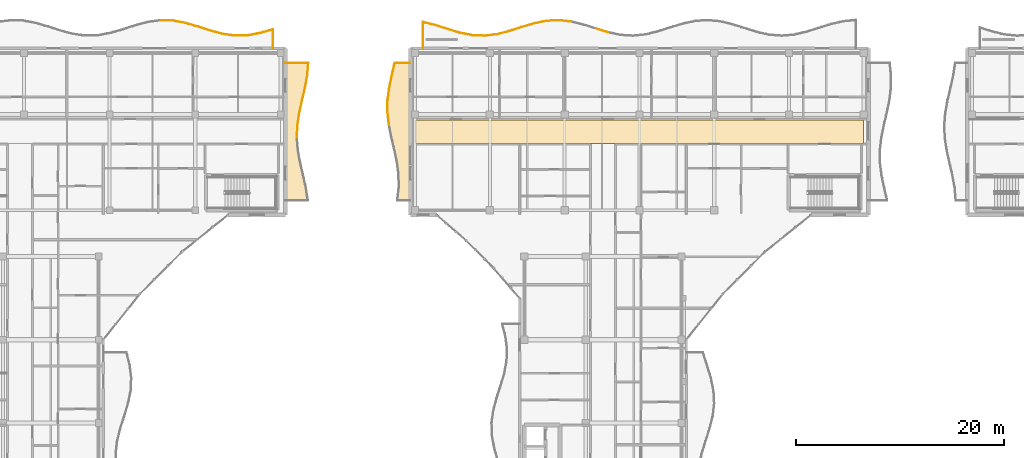
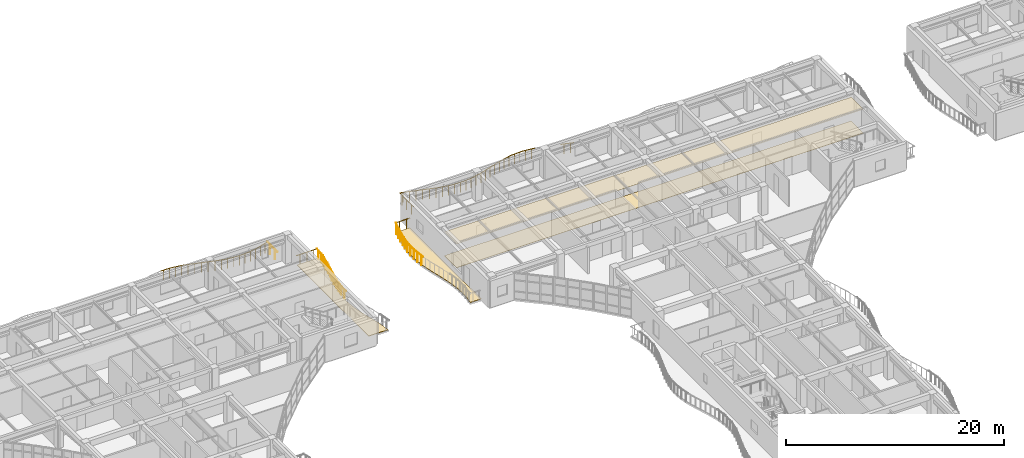
# One storey, part 120 of 128: 37 railings, 4 coverings.
"""IFC4 building model written with IfcOpenShell, lengths in metres."""

from ifc_helpers import new_model, si_unit, direction, frame, origin, origin_2d, place, context, subcontext, project, spatial, polyline, circle, outline, extrude, material, layer, layer_set, type_object, element, save


model = new_model("IFC4")

# Units and contexts
model_context = context("Model", 3, precision=1e-05, world=origin(), true_north=direction((0.0, 1.0)))
body_context = subcontext(model_context, "Body", "Model", "MODEL_VIEW")
ifc_project = project(units=[si_unit("LENGTHUNIT", "METRE"), si_unit("AREAUNIT", "SQUARE_METRE"), si_unit("VOLUMEUNIT", "CUBIC_METRE"), si_unit("PLANEANGLEUNIT", "RADIAN"), si_unit("MASSUNIT", "GRAM", prefix="KILO")], contexts=[model_context])

# Site, building, storey
site_placement = place(None, origin())
site = spatial("IfcSite", under=ifc_project, at=site_placement, CompositionType="ELEMENT")
building_placement = place(site_placement, origin())
building = spatial("IfcBuilding", under=site, at=building_placement, Name="Keldmere Railside Commons", CompositionType="ELEMENT")
storey_placement = place(building_placement, frame((0.0, 0.0, 4.159912109375)))
storey = spatial("IfcBuildingStorey", under=building, at=storey_placement, Name="L01", CompositionType="ELEMENT", Elevation=4.159912109375)

# Railings
ifc_material_1 = material(Name="Steel F-24 (S235)", Category="steel")
railing_type = type_object("IfcRailingType", Name="Balcony & Terrace Steel Balustrade 1100", PredefinedType="BALUSTRADE", material=ifc_material_1)
railing_1_placement = place(storey_placement, frame((69.5, 118.689208984375, 0.0)))
element("IfcRailing", 1, at=railing_1_placement, inside=storey, type_object=railing_type, Name="GR-1 GRD-L01-0815", PredefinedType="BALUSTRADE", context=body_context, shape_type="SweptSolid", body=[
    extrude(circle(Radius=0.02392578125, at=origin_2d()), frame((0.0, 0.0, 1.076171875), z_axis=(0.999565113837, -0.029488696136, 0.0), x_axis=(0.029488696136, 0.999565113837, 0.0)), (0.0, 0.0, 1.0), 1.200439453125),
    extrude(circle(Radius=0.02099609375, at=origin_2d()), frame((0.300048828125, -0.0087890625, 0.0)), (0.0, 0.0, 1.0), 1.048095703125),
    extrude(circle(Radius=0.02099609375, at=origin_2d()), frame((0.89990234375, -0.026611328125, 0.0)), (0.0, 0.0, 1.0), 1.048095703125),
])
railing_2_placement = place(storey_placement, frame((70.699951171875, 118.65380859375, 0.0)))
element("IfcRailing", 2, at=railing_2_placement, inside=storey, type_object=railing_type, Name="GR-1 GRD-L01-0816", PredefinedType="BALUSTRADE", context=body_context, shape_type="SweptSolid", body=[
    extrude(circle(Radius=0.02392578125, at=origin_2d()), frame((0.0, 0.0, 1.076171875), z_axis=(0.983037080858, -0.183406918239, 0.0), x_axis=(0.183406918239, 0.983037080858, 0.0)), (0.0, 0.0, 1.0), 1.220703125),
    extrude(circle(Radius=0.02099609375, at=origin_2d()), frame((0.300048828125, -0.055908203125, 0.0)), (0.0, 0.0, 1.0), 1.048095703125),
    extrude(circle(Radius=0.02099609375, at=origin_2d()), frame((0.89990234375, -0.16796875, 0.0)), (0.0, 0.0, 1.0), 1.048095703125),
])
railing_3_placement = place(storey_placement, frame((71.89990234375, 118.429931640625, 0.0)))
element("IfcRailing", 3, at=railing_3_placement, inside=storey, type_object=railing_type, Name="GR-1 GRD-L01-0817", PredefinedType="BALUSTRADE", context=body_context, shape_type="SweptSolid", body=[
    extrude(circle(Radius=0.02392578125, at=origin_2d()), frame((0.0, 0.0, 1.076171875), z_axis=(0.959464892616, -0.281828174316, 0.0), x_axis=(0.281828174316, 0.959464892616, 0.0)), (0.0, 0.0, 1.0), 1.2509765625),
    extrude(circle(Radius=0.02099609375, at=origin_2d()), frame((0.300048828125, -0.088134765625, 0.0)), (0.0, 0.0, 1.0), 1.048095703125),
    extrude(circle(Radius=0.02099609375, at=origin_2d()), frame((0.900146484375, -0.264404296875, 0.0)), (0.0, 0.0, 1.0), 1.048095703125),
])
railing_4_placement = place(storey_placement, frame((73.10009765625, 118.077392578125, 0.0)))
element("IfcRailing", 4, at=railing_4_placement, inside=storey, type_object=railing_type, Name="GR-1 GRD-L01-0818", PredefinedType="BALUSTRADE", context=body_context, shape_type="SweptSolid", body=[
    extrude(circle(Radius=0.02392578125, at=origin_2d()), frame((0.0, 0.0, 1.076171875), z_axis=(0.951849064488, -0.30656705373, 0.0), x_axis=(0.30656705373, 0.951849064488, 0.0)), (0.0, 0.0, 1.0), 1.2607421875),
    extrude(circle(Radius=0.02099609375, at=origin_2d()), frame((0.300048828125, -0.0966796875, 0.0)), (0.0, 0.0, 1.0), 1.048095703125),
    extrude(circle(Radius=0.02099609375, at=origin_2d()), frame((0.89990234375, -0.289794921875, 0.0)), (0.0, 0.0, 1.0), 1.048095703125),
])
railing_5_placement = place(storey_placement, frame((74.300048828125, 117.69091796875, 0.0)))
element("IfcRailing", 5, at=railing_5_placement, inside=storey, type_object=railing_type, Name="GR-1 GRD-L01-0819", PredefinedType="BALUSTRADE", context=body_context, shape_type="SweptSolid", body=[
    extrude(circle(Radius=0.02392578125, at=origin_2d()), frame((0.0, 0.0, 1.076171875), z_axis=(0.966803905805, -0.25551948599, 0.0), x_axis=(0.25551948599, 0.966803905805, 0.0)), (0.0, 0.0, 1.0), 1.2412109375),
    extrude(circle(Radius=0.02099609375, at=origin_2d()), frame((0.300048828125, -0.079345703125, 0.0)), (0.0, 0.0, 1.0), 1.048095703125),
    extrude(circle(Radius=0.02099609375, at=origin_2d()), frame((0.89990234375, -0.23779296875, 0.0)), (0.0, 0.0, 1.0), 1.048095703125),
])
railing_6_placement = place(storey_placement, frame((75.5, 117.373779296875, 0.0)))
element("IfcRailing", 6, at=railing_6_placement, inside=storey, type_object=railing_type, Name="GR-1 GRD-L01-0820", PredefinedType="BALUSTRADE", context=body_context, shape_type="SweptSolid", body=[
    extrude(circle(Radius=0.02392578125, at=origin_2d()), frame((0.0, 0.0, 1.076171875), z_axis=(0.990917067819, -0.134474401675, 0.0), x_axis=(0.134474401675, 0.990917067819, 0.0)), (0.0, 0.0, 1.0), 1.2109375),
    extrude(circle(Radius=0.02099609375, at=origin_2d()), frame((0.300048828125, -0.040771484375, 0.0)), (0.0, 0.0, 1.0), 1.048095703125),
    extrude(circle(Radius=0.02099609375, at=origin_2d()), frame((0.89990234375, -0.1220703125, 0.0)), (0.0, 0.0, 1.0), 1.048095703125),
])
railing_7_placement = place(storey_placement, frame((76.699951171875, 117.2109375, 0.0)))
element("IfcRailing", 7, at=railing_7_placement, inside=storey, type_object=railing_type, Name="GR-1 GRD-L01-0821", PredefinedType="BALUSTRADE", context=body_context, shape_type="SweptSolid", body=[
    extrude(circle(Radius=0.02392578125, at=origin_2d()), frame((0.0, 0.0, 1.076171875), z_axis=(0.999571087737, 0.029285500841, 0.0), x_axis=(-0.029285500841, 0.999571087737, 0.0)), (0.0, 0.0, 1.0), 1.200439453125),
    extrude(circle(Radius=0.02099609375, at=origin_2d()), frame((0.300048828125, 0.0087890625, 0.0)), (0.0, 0.0, 1.0), 1.048095703125),
    extrude(circle(Radius=0.02099609375, at=origin_2d()), frame((0.89990234375, 0.0263671875, 0.0)), (0.0, 0.0, 1.0), 1.048095703125),
])
railing_8_placement = place(storey_placement, frame((77.89990234375, 117.24609375, 0.0)))
element("IfcRailing", 8, at=railing_8_placement, inside=storey, type_object=railing_type, Name="GR-1 GRD-L01-0822", PredefinedType="BALUSTRADE", context=body_context, shape_type="SweptSolid", body=[
    extrude(circle(Radius=0.02392578125, at=origin_2d()), frame((0.0, 0.0, 1.076171875), z_axis=(0.983007742487, 0.183564098373, 0.0), x_axis=(-0.183564098373, 0.983007742487, 0.0)), (0.0, 0.0, 1.0), 1.220947265625),
    extrude(circle(Radius=0.02099609375, at=origin_2d()), frame((0.300048828125, 0.05615234375, 0.0)), (0.0, 0.0, 1.0), 1.048095703125),
    extrude(circle(Radius=0.02099609375, at=origin_2d()), frame((0.900146484375, 0.16796875, 0.0)), (0.0, 0.0, 1.0), 1.048095703125),
])
railing_9_placement = place(storey_placement, frame((79.10009765625, 117.47021484375, 0.0)))
element("IfcRailing", 9, at=railing_9_placement, inside=storey, type_object=railing_type, Name="GR-1 GRD-L01-0823", PredefinedType="BALUSTRADE", context=body_context, shape_type="SweptSolid", body=[
    extrude(circle(Radius=0.02392578125, at=origin_2d()), frame((0.0, 0.0, 1.076171875), z_axis=(0.959502166613, 0.281701246475, 0.0), x_axis=(-0.281701246475, 0.959502166613, 0.0)), (0.0, 0.0, 1.0), 1.25048828125),
    extrude(circle(Radius=0.02099609375, at=origin_2d()), frame((0.300048828125, 0.088134765625, 0.0)), (0.0, 0.0, 1.0), 1.048095703125),
    extrude(circle(Radius=0.02099609375, at=origin_2d()), frame((0.89990234375, 0.26416015625, 0.0)), (0.0, 0.0, 1.0), 1.048095703125),
])
railing_10_placement = place(storey_placement, frame((80.300048828125, 117.822509765625, 0.0)))
element("IfcRailing", 10, at=railing_10_placement, inside=storey, type_object=railing_type, Name="GR-1 GRD-L01-0824", PredefinedType="BALUSTRADE", context=body_context, shape_type="SweptSolid", body=[
    extrude(circle(Radius=0.02392578125, at=origin_2d()), frame((0.0, 0.0, 1.076171875), z_axis=(0.0, -1.0, 0.0), x_axis=(1.0, 0.0, 0.0)), (0.0, 0.0, 1.0), 1.822509765625),
    extrude(circle(Radius=0.02099609375, at=origin_2d()), frame((0.0, -0.45556640625, 0.0)), (0.0, 0.0, 1.0), 1.048095703125),
    extrude(circle(Radius=0.02099609375, at=origin_2d()), frame((0.0, -1.366943359375, 0.0)), (0.0, 0.0, 1.0), 1.048095703125),
])
railing_11_placement = place(storey_placement, frame((82.602294921875, 107.39990234375, 0.0)))
element("IfcRailing", 11, at=railing_11_placement, inside=storey, type_object=railing_type, Name="GR-1 GRD-L01-0886", PredefinedType="BALUSTRADE", context=body_context, shape_type="SweptSolid", body=[
    extrude(circle(Radius=0.02392578125, at=origin_2d()), frame((0.0, 0.0, 1.076171875), z_axis=(0.039635226212, 0.999214215693, 0.0), x_axis=(-0.999214215693, 0.039635226212, 0.0)), (0.0, 0.0, 1.0), 1.201171875),
    extrude(circle(Radius=0.02099609375, at=origin_2d()), frame((0.011962890625, 0.300048828125, 0.0)), (0.0, 0.0, 1.0), 1.048095703125),
    extrude(circle(Radius=0.02099609375, at=origin_2d()), frame((0.03564453125, 0.900146484375, 0.0)), (0.0, 0.0, 1.0), 1.048095703125),
])
railing_12_placement = place(storey_placement, frame((82.64990234375, 108.60009765625, 0.0)))
element("IfcRailing", 12, at=railing_12_placement, inside=storey, type_object=railing_type, Name="GR-1 GRD-L01-0887", PredefinedType="BALUSTRADE", context=body_context, shape_type="SweptSolid", body=[
    extrude(circle(Radius=0.02392578125, at=origin_2d()), frame((0.0, 0.0, 1.076171875), z_axis=(0.149471647399, 0.988766012069, 0.0), x_axis=(-0.988766012069, 0.149471647399, 0.0)), (0.0, 0.0, 1.0), 1.213623046875),
    extrude(circle(Radius=0.02099609375, at=origin_2d()), frame((0.04541015625, 0.300048828125, 0.0)), (0.0, 0.0, 1.0), 1.048095703125),
    extrude(circle(Radius=0.02099609375, at=origin_2d()), frame((0.135986328125, 0.89990234375, 0.0)), (0.0, 0.0, 1.0), 1.048095703125),
])
railing_13_placement = place(storey_placement, frame((82.831298828125, 109.800048828125, 0.0)))
element("IfcRailing", 13, at=railing_13_placement, inside=storey, type_object=railing_type, Name="GR-1 GRD-L01-0888", PredefinedType="BALUSTRADE", context=body_context, shape_type="SweptSolid", body=[
    extrude(circle(Radius=0.02392578125, at=origin_2d()), frame((0.0, 0.0, 1.076171875), z_axis=(0.217077658328, 0.976154337313, 0.0), x_axis=(-0.976154337313, 0.217077658328, 0.0)), (0.0, 0.0, 1.0), 1.229248046875),
    extrude(circle(Radius=0.02099609375, at=origin_2d()), frame((0.066650390625, 0.300048828125, 0.0)), (0.0, 0.0, 1.0), 1.048095703125),
    extrude(circle(Radius=0.02099609375, at=origin_2d()), frame((0.2001953125, 0.89990234375, 0.0)), (0.0, 0.0, 1.0), 1.048095703125),
])
railing_14_placement = place(storey_placement, frame((83.09814453125, 111.0, 0.0)))
element("IfcRailing", 14, at=railing_14_placement, inside=storey, type_object=railing_type, Name="GR-1 GRD-L01-0889", PredefinedType="BALUSTRADE", context=body_context, shape_type="SweptSolid", body=[
    extrude(circle(Radius=0.02392578125, at=origin_2d()), frame((0.0, 0.0, 1.076171875), z_axis=(0.227824524311, 0.973702206079, 0.0), x_axis=(-0.973702206079, 0.227824524311, 0.0)), (0.0, 0.0, 1.0), 1.232421875),
    extrude(circle(Radius=0.02099609375, at=origin_2d()), frame((0.0703125, 0.300048828125, 0.0)), (0.0, 0.0, 1.0), 1.048095703125),
    extrude(circle(Radius=0.02099609375, at=origin_2d()), frame((0.21044921875, 0.89990234375, 0.0)), (0.0, 0.0, 1.0), 1.048095703125),
])
railing_15_placement = place(storey_placement, frame((83.37890625, 112.199951171875, 0.0)))
element("IfcRailing", 15, at=railing_15_placement, inside=storey, type_object=railing_type, Name="GR-1 GRD-L01-0890", PredefinedType="BALUSTRADE", context=body_context, shape_type="SweptSolid", body=[
    extrude(circle(Radius=0.02392578125, at=origin_2d()), frame((0.0, 0.0, 1.076171875), z_axis=(0.179924457208, 0.983680430678, 0.0), x_axis=(-0.983680430678, 0.179924457208, 0.0)), (0.0, 0.0, 1.0), 1.219970703125),
    extrude(circle(Radius=0.02099609375, at=origin_2d()), frame((0.054931640625, 0.300048828125, 0.0)), (0.0, 0.0, 1.0), 1.048095703125),
    extrude(circle(Radius=0.02099609375, at=origin_2d()), frame((0.16455078125, 0.89990234375, 0.0)), (0.0, 0.0, 1.0), 1.048095703125),
])
railing_16_placement = place(storey_placement, frame((83.598388671875, 113.39990234375, 0.0)))
element("IfcRailing", 16, at=railing_16_placement, inside=storey, type_object=railing_type, Name="GR-1 GRD-L01-0891", PredefinedType="BALUSTRADE", context=body_context, shape_type="SweptSolid", body=[
    extrude(circle(Radius=0.02392578125, at=origin_2d()), frame((0.0, 0.0, 1.076171875), z_axis=(0.082307250373, 0.99660700205, 0.0), x_axis=(-0.99660700205, 0.082307250373, 0.0)), (0.0, 0.0, 1.0), 1.204345703125),
    extrude(circle(Radius=0.02099609375, at=origin_2d()), frame((0.02490234375, 0.300048828125, 0.0)), (0.0, 0.0, 1.0), 1.048095703125),
    extrude(circle(Radius=0.02099609375, at=origin_2d()), frame((0.07421875, 0.900146484375, 0.0)), (0.0, 0.0, 1.0), 1.048095703125),
])
railing_17_placement = place(storey_placement, frame((83.697509765625, 114.60009765625, 0.0)))
element("IfcRailing", 17, at=railing_17_placement, inside=storey, type_object=railing_type, Name="GR-1 GRD-L01-0892", PredefinedType="BALUSTRADE", context=body_context, shape_type="SweptSolid", body=[
    extrude(circle(Radius=0.02392578125, at=origin_2d()), frame((0.0, 0.0, 1.076171875), z_axis=(-1.0, 0.0, 0.0), x_axis=(0.0, -1.0, 0.0)), (0.0, 0.0, 1.0), 2.197509765625),
    extrude(circle(Radius=0.02099609375, at=origin_2d()), frame((-0.3662109375, 0.0, 0.0)), (0.0, 0.0, 1.0), 1.048095703125),
    extrude(circle(Radius=0.02099609375, at=origin_2d()), frame((-1.0986328125, 0.0, 0.0)), (0.0, 0.0, 1.0), 1.048095703125),
    extrude(circle(Radius=0.02099609375, at=origin_2d()), frame((-1.831298828125, 0.0, 0.0)), (0.0, 0.0, 1.0), 1.048095703125),
])
railing_18_placement = place(storey_placement, frame((94.699951171875, 116.0, 0.0)))
element("IfcRailing", 18, at=railing_18_placement, inside=storey, type_object=railing_type, Name="GR-1 GRD-L01-1844", PredefinedType="BALUSTRADE", context=body_context, shape_type="SweptSolid", body=[
    extrude(circle(Radius=0.02392578125, at=origin_2d()), frame((0.0, 0.0, 1.076171875), z_axis=(0.0, 1.0, 0.0), x_axis=(-1.0, 0.0, 0.0)), (0.0, 0.0, 1.0), 2.53369140625),
    extrude(circle(Radius=0.02099609375, at=origin_2d()), frame((0.0, 0.42236328125, 0.0)), (0.0, 0.0, 1.0), 1.048095703125),
    extrude(circle(Radius=0.02099609375, at=origin_2d()), frame((0.0, 1.266845703125, 0.0)), (0.0, 0.0, 1.0), 1.048095703125),
    extrude(circle(Radius=0.02099609375, at=origin_2d()), frame((0.0, 2.111328125, 0.0)), (0.0, 0.0, 1.0), 1.048095703125),
])
railing_19_placement = place(storey_placement, frame((94.699951171875, 118.53369140625, 0.0)))
element("IfcRailing", 19, at=railing_19_placement, inside=storey, type_object=railing_type, Name="GR-1 GRD-L01-1845", PredefinedType="BALUSTRADE", context=body_context, shape_type="SweptSolid", body=[
    extrude(circle(Radius=0.02392578125, at=origin_2d()), frame((0.0, 0.0, 1.076171875), z_axis=(0.96757716408, -0.252575595717, 0.0), x_axis=(0.252575595717, 0.96757716408, 0.0)), (0.0, 0.0, 1.0), 1.228515625),
    extrude(circle(Radius=0.02099609375, at=origin_2d()), frame((0.297119140625, -0.07763671875, 0.0)), (0.0, 0.0, 1.0), 1.048095703125),
    extrude(circle(Radius=0.02099609375, at=origin_2d()), frame((0.8916015625, -0.232666015625, 0.0)), (0.0, 0.0, 1.0), 1.048095703125),
])
railing_20_placement = place(storey_placement, frame((95.888671875, 118.223388671875, 0.0)))
element("IfcRailing", 20, at=railing_20_placement, inside=storey, type_object=railing_type, Name="GR-1 GRD-L01-1846", PredefinedType="BALUSTRADE", context=body_context, shape_type="SweptSolid", body=[
    extrude(circle(Radius=0.02392578125, at=origin_2d()), frame((0.0, 0.0, 1.076171875), z_axis=(0.952012281664, -0.306059823501, 0.0), x_axis=(0.306059823501, 0.952012281664, 0.0)), (0.0, 0.0, 1.0), 1.248291015625),
    extrude(circle(Radius=0.02099609375, at=origin_2d()), frame((0.297119140625, -0.095458984375, 0.0)), (0.0, 0.0, 1.0), 1.048095703125),
    extrude(circle(Radius=0.02099609375, at=origin_2d()), frame((0.891357421875, -0.28662109375, 0.0)), (0.0, 0.0, 1.0), 1.048095703125),
])
railing_21_placement = place(storey_placement, frame((97.0771484375, 117.84130859375, 0.0)))
element("IfcRailing", 21, at=railing_21_placement, inside=storey, type_object=railing_type, Name="GR-1 GRD-L01-1847", PredefinedType="BALUSTRADE", context=body_context, shape_type="SweptSolid", body=[
    extrude(circle(Radius=0.02392578125, at=origin_2d()), frame((0.0, 0.0, 1.076171875), z_axis=(0.958495645602, -0.285107168207, 0.0), x_axis=(0.285107168207, 0.958495645602, 0.0)), (0.0, 0.0, 1.0), 1.239990234375),
    extrude(circle(Radius=0.02099609375, at=origin_2d()), frame((0.297119140625, -0.08837890625, 0.0)), (0.0, 0.0, 1.0), 1.048095703125),
    extrude(circle(Radius=0.02099609375, at=origin_2d()), frame((0.891357421875, -0.26513671875, 0.0)), (0.0, 0.0, 1.0), 1.048095703125),
])
railing_22_placement = place(storey_placement, frame((98.265625, 117.48779296875, 0.0)))
element("IfcRailing", 22, at=railing_22_placement, inside=storey, type_object=railing_type, Name="GR-1 GRD-L01-1848", PredefinedType="BALUSTRADE", context=body_context, shape_type="SweptSolid", body=[
    extrude(circle(Radius=0.02392578125, at=origin_2d()), frame((0.0, 0.0, 1.076171875), z_axis=(0.981454534248, -0.191695063066, 0.0), x_axis=(0.191695063066, 0.981454534248, 0.0)), (0.0, 0.0, 1.0), 1.211181640625),
    extrude(circle(Radius=0.02099609375, at=origin_2d()), frame((0.297119140625, -0.05810546875, 0.0)), (0.0, 0.0, 1.0), 1.048095703125),
    extrude(circle(Radius=0.02099609375, at=origin_2d()), frame((0.8916015625, -0.174072265625, 0.0)), (0.0, 0.0, 1.0), 1.048095703125),
])
railing_23_placement = place(storey_placement, frame((99.454345703125, 117.255615234375, 0.0)))
element("IfcRailing", 23, at=railing_23_placement, inside=storey, type_object=railing_type, Name="GR-1 GRD-L01-1849", PredefinedType="BALUSTRADE", context=body_context, shape_type="SweptSolid", body=[
    extrude(circle(Radius=0.02392578125, at=origin_2d()), frame((0.0, 0.0, 1.076171875), z_axis=(0.999140172768, -0.041459801746, 0.0), x_axis=(0.041459801746, 0.999140172768, 0.0)), (0.0, 0.0, 1.0), 1.189453125),
    extrude(circle(Radius=0.02099609375, at=origin_2d()), frame((0.297119140625, -0.01220703125, 0.0)), (0.0, 0.0, 1.0), 1.048095703125),
    extrude(circle(Radius=0.02099609375, at=origin_2d()), frame((0.891357421875, -0.037109375, 0.0)), (0.0, 0.0, 1.0), 1.048095703125),
])
railing_24_placement = place(storey_placement, frame((100.642822265625, 117.206298828125, 0.0)))
element("IfcRailing", 24, at=railing_24_placement, inside=storey, type_object=railing_type, Name="GR-1 GRD-L01-1850", PredefinedType="BALUSTRADE", context=body_context, shape_type="SweptSolid", body=[
    extrude(circle(Radius=0.02392578125, at=origin_2d()), frame((0.0, 0.0, 1.076171875), z_axis=(0.992514433176, 0.12212739225, 0.0), x_axis=(-0.12212739225, 0.992514433176, 0.0)), (0.0, 0.0, 1.0), 1.197509765625),
    extrude(circle(Radius=0.02099609375, at=origin_2d()), frame((0.297119140625, 0.03662109375, 0.0)), (0.0, 0.0, 1.0), 1.048095703125),
    extrude(circle(Radius=0.02099609375, at=origin_2d()), frame((0.891357421875, 0.109619140625, 0.0)), (0.0, 0.0, 1.0), 1.048095703125),
])
railing_25_placement = place(storey_placement, frame((101.831298828125, 117.3525390625, 0.0)))
element("IfcRailing", 25, at=railing_25_placement, inside=storey, type_object=railing_type, Name="GR-1 GRD-L01-1851", PredefinedType="BALUSTRADE", context=body_context, shape_type="SweptSolid", body=[
    extrude(circle(Radius=0.02392578125, at=origin_2d()), frame((0.0, 0.0, 1.076171875), z_axis=(0.968924814302, 0.247355420862, 0.0), x_axis=(-0.247355420862, 0.968924814302, 0.0)), (0.0, 0.0, 1.0), 1.226806640625),
    extrude(circle(Radius=0.02099609375, at=origin_2d()), frame((0.297119140625, 0.075927734375, 0.0)), (0.0, 0.0, 1.0), 1.048095703125),
    extrude(circle(Radius=0.02099609375, at=origin_2d()), frame((0.8916015625, 0.2275390625, 0.0)), (0.0, 0.0, 1.0), 1.048095703125),
])
railing_26_placement = place(storey_placement, frame((103.02001953125, 117.656005859375, 0.0)))
element("IfcRailing", 26, at=railing_26_placement, inside=storey, type_object=railing_type, Name="GR-1 GRD-L01-1852", PredefinedType="BALUSTRADE", context=body_context, shape_type="SweptSolid", body=[
    extrude(circle(Radius=0.02392578125, at=origin_2d()), frame((0.0, 0.0, 1.076171875), z_axis=(0.952353704349, 0.304995773435, 0.0), x_axis=(-0.304995773435, 0.952353704349, 0.0)), (0.0, 0.0, 1.0), 1.248046875),
    extrude(circle(Radius=0.02099609375, at=origin_2d()), frame((0.297119140625, 0.09521484375, 0.0)), (0.0, 0.0, 1.0), 1.048095703125),
    extrude(circle(Radius=0.02099609375, at=origin_2d()), frame((0.891357421875, 0.285400390625, 0.0)), (0.0, 0.0, 1.0), 1.048095703125),
])
railing_27_placement = place(storey_placement, frame((104.20849609375, 118.03662109375, 0.0)))
element("IfcRailing", 27, at=railing_27_placement, inside=storey, type_object=railing_type, Name="GR-1 GRD-L01-1853", PredefinedType="BALUSTRADE", context=body_context, shape_type="SweptSolid", body=[
    extrude(circle(Radius=0.02392578125, at=origin_2d()), frame((0.0, 0.0, 1.076171875), z_axis=(0.957538936467, 0.28830398046, 0.0), x_axis=(-0.28830398046, 0.957538936467, 0.0)), (0.0, 0.0, 1.0), 1.241455078125),
    extrude(circle(Radius=0.02099609375, at=origin_2d()), frame((0.297119140625, 0.08935546875, 0.0)), (0.0, 0.0, 1.0), 1.048095703125),
    extrude(circle(Radius=0.02099609375, at=origin_2d()), frame((0.8916015625, 0.2685546875, 0.0)), (0.0, 0.0, 1.0), 1.048095703125),
])
railing_28_placement = place(storey_placement, frame((105.397216796875, 118.39453125, 0.0)))
element("IfcRailing", 28, at=railing_28_placement, inside=storey, type_object=railing_type, Name="GR-1 GRD-L01-1854", PredefinedType="BALUSTRADE", context=body_context, shape_type="SweptSolid", body=[
    extrude(circle(Radius=0.02392578125, at=origin_2d()), frame((0.0, 0.0, 1.076171875), z_axis=(0.980058441139, 0.198709466188, 0.0), x_axis=(-0.198709466188, 0.980058441139, 0.0)), (0.0, 0.0, 1.0), 1.212646484375),
    extrude(circle(Radius=0.02099609375, at=origin_2d()), frame((0.297119140625, 0.060302734375, 0.0)), (0.0, 0.0, 1.0), 1.048095703125),
    extrude(circle(Radius=0.02099609375, at=origin_2d()), frame((0.891357421875, 0.1806640625, 0.0)), (0.0, 0.0, 1.0), 1.048095703125),
])
railing_29_placement = place(storey_placement, frame((106.585693359375, 118.635498046875, 0.0)))
element("IfcRailing", 29, at=railing_29_placement, inside=storey, type_object=railing_type, Name="GR-1 GRD-L01-1855", PredefinedType="BALUSTRADE", context=body_context, shape_type="SweptSolid", body=[
    extrude(circle(Radius=0.02392578125, at=origin_2d()), frame((0.0, 0.0, 1.076171875), z_axis=(0.99869491645, 0.051073122653, 0.0), x_axis=(-0.051073122653, 0.99869491645, 0.0)), (0.0, 0.0, 1.0), 1.190185546875),
    extrude(circle(Radius=0.02099609375, at=origin_2d()), frame((0.297119140625, 0.01513671875, 0.0)), (0.0, 0.0, 1.0), 1.048095703125),
    extrude(circle(Radius=0.02099609375, at=origin_2d()), frame((0.8916015625, 0.045654296875, 0.0)), (0.0, 0.0, 1.0), 1.048095703125),
])
railing_30_placement = place(storey_placement, frame((107.7744140625, 118.6962890625, 0.0)))
element("IfcRailing", 30, at=railing_30_placement, inside=storey, type_object=railing_type, Name="GR-1 GRD-L01-1856", PredefinedType="BALUSTRADE", context=body_context, shape_type="SweptSolid", body=[
    extrude(circle(Radius=0.02392578125, at=origin_2d()), frame((0.0, 0.0, 1.076171875), z_axis=(0.993563555228, -0.113276042143, 0.0), x_axis=(0.113276042143, 0.993563555228, 0.0)), (0.0, 0.0, 1.0), 1.1962890625),
    extrude(circle(Radius=0.02099609375, at=origin_2d()), frame((0.297119140625, -0.033935546875, 0.0)), (0.0, 0.0, 1.0), 1.048095703125),
    extrude(circle(Radius=0.02099609375, at=origin_2d()), frame((0.891357421875, -0.1015625, 0.0)), (0.0, 0.0, 1.0), 1.048095703125),
])
railing_31_placement = place(storey_placement, frame((111.340087890625, 117.8857421875, 0.0)))
element("IfcRailing", 31, at=railing_31_placement, inside=storey, type_object=railing_type, Name="GR-1 GRD-L01-1859", PredefinedType="BALUSTRADE", context=body_context, shape_type="SweptSolid", body=[
    extrude(circle(Radius=0.02392578125, at=origin_2d()), frame((0.0, 0.0, 1.076171875), z_axis=(0.956595310886, -0.291419647914, 0.0), x_axis=(0.291419647914, 0.956595310886, 0.0)), (0.0, 0.0, 1.0), 1.242431640625),
    extrude(circle(Radius=0.02099609375, at=origin_2d()), frame((0.297119140625, -0.090576171875, 0.0)), (0.0, 0.0, 1.0), 1.048095703125),
    extrude(circle(Radius=0.02099609375, at=origin_2d()), frame((0.891357421875, -0.271484375, 0.0)), (0.0, 0.0, 1.0), 1.048095703125),
])
railing_32_placement = place(storey_placement, frame((91.4521484375, 108.60009765625, 0.0)))
element("IfcRailing", 32, at=railing_32_placement, inside=storey, type_object=railing_type, Name="GR-1 GRD-L01-1956", PredefinedType="BALUSTRADE", context=body_context, shape_type="SweptSolid", body=[
    extrude(circle(Radius=0.02392578125, at=origin_2d()), frame((0.0, 0.0, 1.076171875), z_axis=(-0.113004940819, 0.993594425986, 0.0), x_axis=(-0.993594425986, -0.113004940819, 0.0)), (0.0, 0.0, 1.0), 1.207763671875),
    extrude(circle(Radius=0.02099609375, at=origin_2d()), frame((-0.0341796875, 0.300048828125, 0.0)), (0.0, 0.0, 1.0), 1.048095703125),
    extrude(circle(Radius=0.02099609375, at=origin_2d()), frame((-0.102294921875, 0.89990234375, 0.0)), (0.0, 0.0, 1.0), 1.048095703125),
])
railing_33_placement = place(storey_placement, frame((91.315673828125, 109.800048828125, 0.0)))
element("IfcRailing", 33, at=railing_33_placement, inside=storey, type_object=railing_type, Name="GR-1 GRD-L01-1957", PredefinedType="BALUSTRADE", context=body_context, shape_type="SweptSolid", body=[
    extrude(circle(Radius=0.02392578125, at=origin_2d()), frame((0.0, 0.0, 1.076171875), z_axis=(0.005493304703, 0.999984911688, 0.0), x_axis=(-0.999984911688, 0.005493304703, 0.0)), (0.0, 0.0, 1.0), 1.199951171875),
    extrude(circle(Radius=0.02099609375, at=origin_2d()), frame((0.001708984375, 0.300048828125, 0.0)), (0.0, 0.0, 1.0), 1.048095703125),
    extrude(circle(Radius=0.02099609375, at=origin_2d()), frame((0.0048828125, 0.89990234375, 0.0)), (0.0, 0.0, 1.0), 1.048095703125),
])
railing_34_placement = place(storey_placement, frame((91.322265625, 111.0, 0.0)))
element("IfcRailing", 34, at=railing_34_placement, inside=storey, type_object=railing_type, Name="GR-1 GRD-L01-1958", PredefinedType="BALUSTRADE", context=body_context, shape_type="SweptSolid", body=[
    extrude(circle(Radius=0.02392578125, at=origin_2d()), frame((0.0, 0.0, 1.076171875), z_axis=(0.122369416328, 0.992484622525, 0.0), x_axis=(-0.992484622525, 0.122369416328, 0.0)), (0.0, 0.0, 1.0), 1.208984375),
    extrude(circle(Radius=0.02099609375, at=origin_2d()), frame((0.037109375, 0.300048828125, 0.0)), (0.0, 0.0, 1.0), 1.048095703125),
    extrude(circle(Radius=0.02099609375, at=origin_2d()), frame((0.11083984375, 0.89990234375, 0.0)), (0.0, 0.0, 1.0), 1.048095703125),
])
railing_35_placement = place(storey_placement, frame((91.47021484375, 112.199951171875, 0.0)))
element("IfcRailing", 35, at=railing_35_placement, inside=storey, type_object=railing_type, Name="GR-1 GRD-L01-1959", PredefinedType="BALUSTRADE", context=body_context, shape_type="SweptSolid", body=[
    extrude(circle(Radius=0.02392578125, at=origin_2d()), frame((0.0, 0.0, 1.076171875), z_axis=(0.203771300729, 0.979018517189, 0.0), x_axis=(-0.979018517189, 0.203771300729, 0.0)), (0.0, 0.0, 1.0), 1.2255859375),
    extrude(circle(Radius=0.02099609375, at=origin_2d()), frame((0.0625, 0.300048828125, 0.0)), (0.0, 0.0, 1.0), 1.048095703125),
    extrude(circle(Radius=0.02099609375, at=origin_2d()), frame((0.187255859375, 0.89990234375, 0.0)), (0.0, 0.0, 1.0), 1.048095703125),
])
railing_36_placement = place(storey_placement, frame((91.719970703125, 113.39990234375, 0.0)))
element("IfcRailing", 36, at=railing_36_placement, inside=storey, type_object=railing_type, Name="GR-1 GRD-L01-1960", PredefinedType="BALUSTRADE", context=body_context, shape_type="SweptSolid", body=[
    extrude(circle(Radius=0.02392578125, at=origin_2d()), frame((0.0, 0.0, 1.076171875), z_axis=(0.23059461799, 0.97304990733, 0.0), x_axis=(-0.97304990733, 0.23059461799, 0.0)), (0.0, 0.0, 1.0), 1.2333984375),
    extrude(circle(Radius=0.02099609375, at=origin_2d()), frame((0.071044921875, 0.300048828125, 0.0)), (0.0, 0.0, 1.0), 1.048095703125),
    extrude(circle(Radius=0.02099609375, at=origin_2d()), frame((0.21337890625, 0.900146484375, 0.0)), (0.0, 0.0, 1.0), 1.048095703125),
])
railing_37_placement = place(storey_placement, frame((92.00439453125, 114.60009765625, 0.0)))
element("IfcRailing", 37, at=railing_37_placement, inside=storey, type_object=railing_type, Name="GR-1 GRD-L01-1961", PredefinedType="BALUSTRADE", context=body_context, shape_type="SweptSolid", body=[
    extrude(circle(Radius=0.02392578125, at=origin_2d()), frame((0.0, 0.0, 1.076171875), z_axis=(1.0, 0.0, 0.0), x_axis=(0.0, 1.0, 0.0)), (0.0, 0.0, 1.0), 1.49560546875),
    extrude(circle(Radius=0.02099609375, at=origin_2d()), frame((0.3740234375, 0.0, 0.0)), (0.0, 0.0, 1.0), 1.048095703125),
    extrude(circle(Radius=0.02099609375, at=origin_2d()), frame((1.12158203125, 0.0, 0.0)), (0.0, 0.0, 1.0), 1.048095703125),
])

# Coverings
ifc_material_2 = material(Name="Polished Terrazzo Tile Flooring", Category="concrete")
ifc_layer_1 = layer(ifc_material_2, 0.030029296875, Name="Polished Terrazzo Floor Finish 30")
ifc_layer_set_1 = layer_set([ifc_layer_1], Name="Polished Terrazzo Tile Flooring")
covering_type_1 = type_object("IfcCoveringType", Name="Polished Terrazzo Floor Finish 30", PredefinedType="FLOORING", material=ifc_layer_set_1)
covering_1_placement = place(storey_placement, origin())
element("IfcCovering", 38, at=covering_1_placement, inside=storey, type_object=covering_type_1, Name="FLR-1 Corridor Terrazzo B-L01", PredefinedType="FLOORING", context=body_context, shape_type="SweptSolid", body=[
    extrude(outline(polyline([(93.97998046875, 106.8798828125), (137.02001953125, 106.8798828125), (137.02001953125, 109.1201171875), (93.97998046875, 109.1201171875), (93.97998046875, 106.8798828125)])), origin(), (0.0, 0.0, 1.0), 0.030029296875),
])
ifc_material_3 = material(Name="Acoustic Mineral-Fibre Gypsum Ceiling", Category="gypsum")
ifc_layer_2 = layer(ifc_material_3, 0.02490234375, Name="Suspended Acoustic Ceiling 25")
ifc_layer_set_2 = layer_set([ifc_layer_2], Name="Acoustic Mineral-Fibre Gypsum Ceiling")
covering_type_2 = type_object("IfcCoveringType", Name="Suspended Acoustic Ceiling 25", PredefinedType="CEILING", material=ifc_layer_set_2)
covering_2_placement = place(storey_placement, frame((0.0, 0.0, 2.6650390625)))
element("IfcCovering", 39, at=covering_2_placement, inside=storey, type_object=covering_type_2, Name="CLG-1 Corridor Ceiling B-L01", PredefinedType="CEILING", context=body_context, shape_type="SweptSolid", body=[
    extrude(outline(polyline([(93.97998046875, 106.8798828125), (137.02001953125, 106.8798828125), (137.02001953125, 109.1201171875), (93.97998046875, 109.1201171875), (93.97998046875, 106.8798828125)])), origin(), (0.0, 0.0, 1.0), 0.025146484375),
])
ifc_material_4 = material(Name="White Precast Concrete C35/45", Category="concrete")
ifc_layer_3 = layer(ifc_material_4, 0.044921875, Name="White Architectural Balcony Ribbon Cladding 45")
ifc_layer_set_3 = layer_set([ifc_layer_3], Name="White Precast Concrete C35/45")
covering_type_3 = type_object("IfcCoveringType", Name="White Architectural Balcony Ribbon Cladding 45", PredefinedType="FLOORING", material=ifc_layer_set_3)
covering_3_placement = place(storey_placement, origin())
element("IfcCovering", 40, at=covering_3_placement, inside=storey, type_object=covering_type_3, Name="CLG-WB C L01 WE White Balcony Ribbon", PredefinedType="FLOORING", context=body_context, shape_type="SweptSolid", body=[
    extrude(outline(polyline([(83.429443359375, 102.5927734375), (83.162841796875, 103.791015625), (82.882080078125, 104.990966796875), (82.8818359375, 104.992919921875), (82.662353515625, 106.19287109375), (82.661865234375, 106.19677734375), (82.5625, 107.396728515625), (82.5625, 107.401611328125), (82.60986328125, 108.6015625), (82.6103515625, 108.60595703125), (82.791748046875, 109.805908203125), (82.792236328125, 109.80859375), (83.05908203125, 111.0087890625), (83.059326171875, 111.009033203125), (83.339599609375, 112.208251953125), (83.55859375, 113.4052734375), (83.654296875, 114.56005859375), (81.5400390625, 114.56005859375), (81.5400390625, 101.43994140625), (83.603515625, 101.43994140625), (83.429443359375, 102.5927734375)])), origin(), (0.0, 0.0, 1.0), 0.045166015625),
])
covering_4_placement = place(storey_placement, origin())
element("IfcCovering", 41, at=covering_4_placement, inside=storey, type_object=covering_type_3, Name="CLG-WB B L01 WW White Balcony Ribbon", PredefinedType="FLOORING", context=body_context, shape_type="SweptSolid", body=[
    extrude(outline(polyline([(93.4599609375, 114.56005859375), (92.0361328125, 114.56005859375), (91.7587890625, 113.391357421875), (91.509521484375, 112.193603515625), (91.3623046875, 110.997314453125), (91.355712890625, 109.80224609375), (91.49169921875, 108.606201171875), (91.734619140625, 107.40869140625), (92.01904296875, 106.209228515625), (92.019287109375, 106.208251953125), (92.26904296875, 105.00830078125), (92.26953125, 105.0048828125), (92.41748046875, 103.804931640625), (92.417724609375, 103.80029296875), (92.42431640625, 102.60009765625), (92.424072265625, 102.595458984375), (92.29248046875, 101.43994140625), (93.4599609375, 101.43994140625), (93.4599609375, 114.56005859375)])), origin(), (0.0, 0.0, 1.0), 0.045166015625),
])

save(model, "model.ifc")
